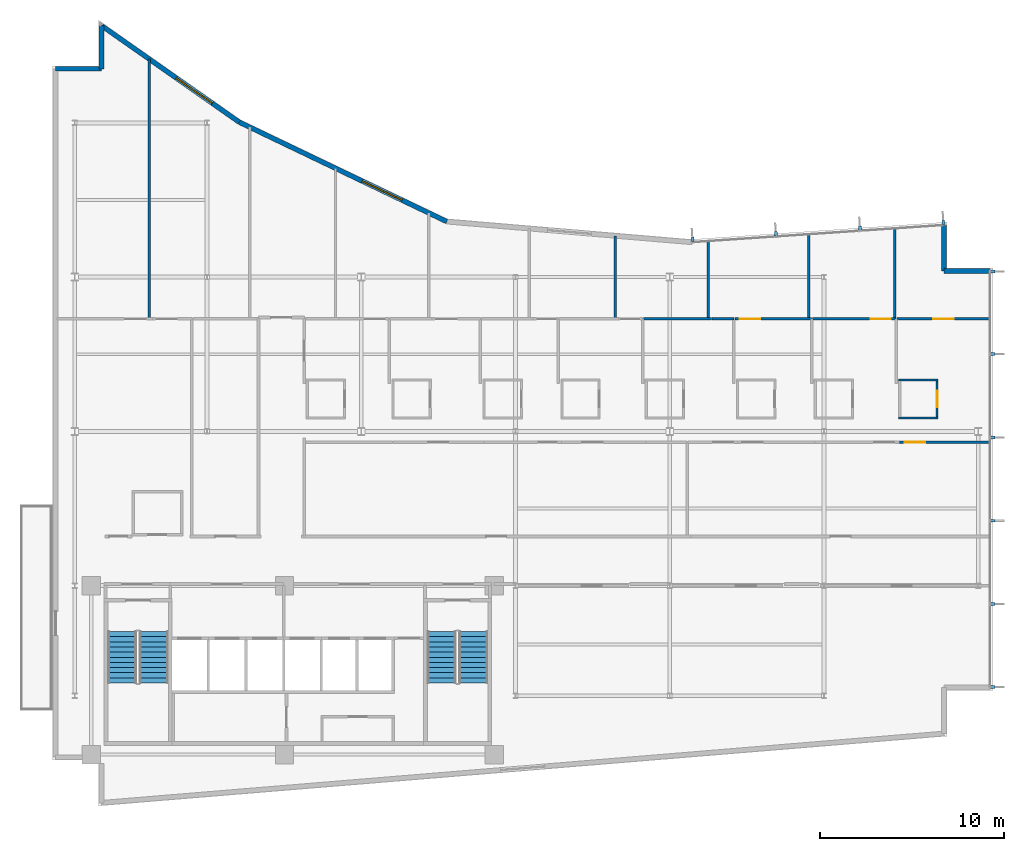
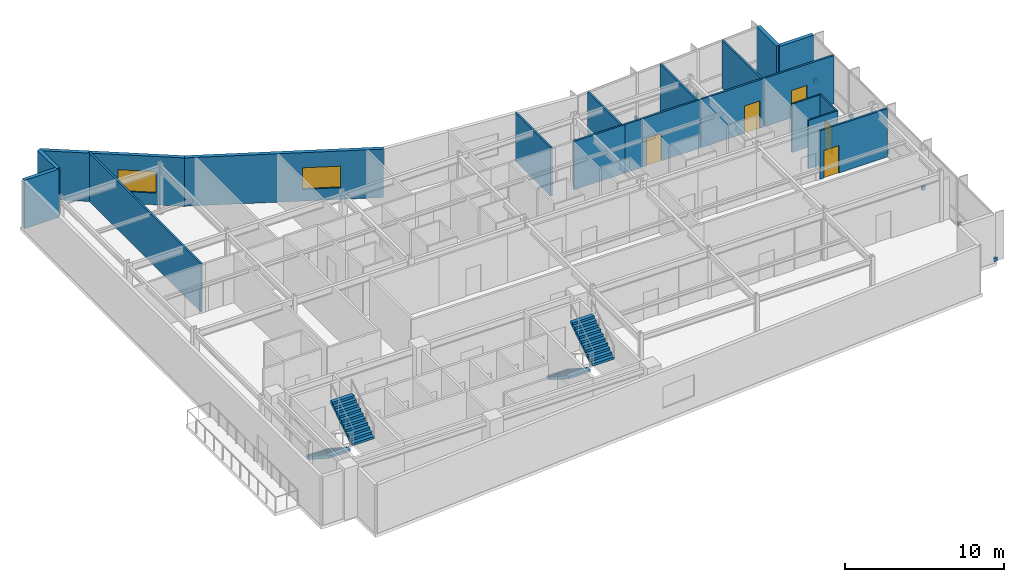
# One storey, part 14 of 17: 20 walls, 10 discrete accessories, 5 doors, 4 stair flights, 2 windows, 7 openings, 2 elements without a shape of their own.
"""IFC4 building model written with IfcOpenShell, lengths in metres."""

from ifc_helpers import new_model, si_unit, direction, frame, frame_2d, origin, origin_2d, place, context, subcontext, project, spatial, polyline, rectangle, outline, extrude, material, layer, layer_set, type_object, element, fill, aggregate, save


model = new_model("IFC4")

# Units and contexts
model_context = context("Model", 3, precision=1e-05, world=origin(), true_north=direction((0.0, 1.0)))
body_context = subcontext(model_context, "Body", "Model", "MODEL_VIEW")
ifc_project = project(units=[si_unit("LENGTHUNIT", "METRE"), si_unit("AREAUNIT", "SQUARE_METRE"), si_unit("VOLUMEUNIT", "CUBIC_METRE"), si_unit("PLANEANGLEUNIT", "RADIAN"), si_unit("MASSUNIT", "GRAM", prefix="KILO")], contexts=[model_context])

# Site, building, storey
site_placement = place(None, origin())
site = spatial("IfcSite", under=ifc_project, at=site_placement, CompositionType="ELEMENT")
building_placement = place(site_placement, origin())
building = spatial("IfcBuilding", under=site, at=building_placement, Name="Varnakote Quay Hospital", CompositionType="ELEMENT")
storey_placement = place(building_placement, frame((0.0, 0.0, 219.75)))
storey = spatial("IfcBuildingStorey", under=building, at=storey_placement, Name="L54", CompositionType="ELEMENT", Elevation=219.75)

# Walls
ifc_material_1 = material(Name="Moisture-resistant bathroom partition", Category="gypsum")
ifc_layer_1 = layer(ifc_material_1, 0.114990234375)
ifc_layer_set_1 = layer_set([ifc_layer_1], Name="Moisture-resistant bathroom partition")
wall_type_1 = type_object("IfcWallType", Name="WL-ENS-115", PredefinedType="PARTITIONING", material=ifc_layer_set_1)
for number, where, z_axis, x_axis, name in (
    (1, (46.06494140625, 21.132568359375, 0.0), (0.0, 0.0, 1.0), (1.0, 0.0, 0.0), "L54 Inpatient En-Suite Bathroom 08 S Wall"),
    (2, (46.06494140625, 23.197509765625, 0.0), (0.0, 0.0, 1.0), (1.0, 0.0, 0.0), "L54 Inpatient En-Suite Bathroom 08 N Wall"),
):
    element("IfcWall", number, at=place(storey_placement, frame(where, z_axis=z_axis, x_axis=x_axis)), inside=storey, type_object=wall_type_1, Name=name, PredefinedType="PARTITIONING", context=body_context, shape_type="SweptSolid", body=[
        extrude(rectangle(XDim=2.150146484375, YDim=0.114990234375, at=frame_2d((1.0751953125, 0.0))), origin(), (0.0, 0.0, 1.0), 3.7099609375),
    ])

# Wall, opening, door
wall_1_placement = place(storey_placement, frame((48.157470703125, 21.18994140625, 0.0), z_axis=(0.0, 0.0, 1.0), x_axis=(0.0, 1.0, 0.0)))
wall_1 = element("IfcWall", 3, at=wall_1_placement, inside=storey, type_object=wall_type_1, Name="L54 Inpatient En-Suite Bathroom 08 E Wall", PredefinedType="PARTITIONING", context=body_context, shape_type="SweptSolid", body=[
    extrude(rectangle(XDim=1.949951171875, YDim=0.114990234375, at=frame_2d((0.97509765625, 0.0))), origin(), (0.0, 0.0, 1.0), 3.7099609375),
])
opening_1_placement = place(wall_1_placement, frame((0.514892578125, 0.0, 0.0)))
opening_1 = element("IfcOpeningElement", 4, at=opening_1_placement, cuts=wall_1, Name="Opening D-L54-ENS08", PredefinedType="OPENING", context=body_context, shape_type="SweptSolid", body=[
    extrude(rectangle(XDim=0.919921875, YDim=2.10009765625, at=frame_2d((0.4599609375, 1.050048828125))), frame((0.0, 0.0673828125, 0.0), z_axis=(0.0, -1.0, 0.0), x_axis=(1.0, 0.0, 0.0)), (0.0, 0.0, 1.0), 0.135009765625),
])
ifc_material_2 = material(Name="Moisture-sealed en-suite bathroom door")
door_type_1 = type_object("IfcDoorType", Name="DR-ENS-920x2100", OperationType="NOTDEFINED", PredefinedType="DOOR", material=ifc_material_2)
door_1_placement = place(opening_1_placement, origin())
door_1 = element("IfcDoor", 5, at=door_1_placement, inside=storey, type_object=door_type_1, Name="L54 Inpatient En-Suite Bathroom 08 Door", OperationType="SINGLE_SWING_RIGHT", OverallHeight=2.10009765625, OverallWidth=0.919921875, PredefinedType="DOOR", context=body_context, shape_type="SweptSolid", body=[
    extrude(rectangle(XDim=0.919921875, YDim=2.10009765625, at=frame_2d((0.4599609375, 1.050048828125))), frame((0.0, 0.02490234375, 0.0), z_axis=(0.0, -1.0, 0.0), x_axis=(1.0, 0.0, 0.0)), (0.0, 0.0, 1.0), 0.050048828125),
])
fill(opening_1, door_1)

# Walls
ifc_material_3 = material(Name="Precast concrete N50 (f'c 50 MPa)", Category="concrete")
ifc_layer_2 = layer(ifc_material_3, 0.260009765625)
ifc_layer_set_2 = layer_set([ifc_layer_2], Name="Precast concrete N50 (f'c 50 MPa)")
wall_type_2 = type_object("IfcWallType", Name="WL-EXT-BRICK-260", PredefinedType="STANDARD", material=ifc_layer_set_2)
wall_2_placement = place(storey_placement, frame((51.0400390625, 29.139892578125, 0.0), z_axis=(0.0, 0.0, 1.0), x_axis=(-1.0, 0.0, 0.0)))
element("IfcWall", 6, at=wall_2_placement, inside=storey, type_object=wall_type_2, Name="L54 Brick-Faced Precast Exterior Wall", PredefinedType="STANDARD", context=body_context, shape_type="SweptSolid", body=[
    extrude(rectangle(XDim=2.5, YDim=0.260009765625, at=frame_2d((1.25, 0.0))), origin(), (0.0, 0.0, 1.0), 3.7099609375),
])
wall_3_placement = place(storey_placement, frame((48.5400390625, 29.139892578125, 0.0), z_axis=(0.0, 0.0, 1.0), x_axis=(0.0, 1.0, 0.0)))
element("IfcWall", 7, at=wall_3_placement, inside=storey, type_object=wall_type_2, Name="L54 Brick-Faced Precast Exterior Wall", PredefinedType="STANDARD", context=body_context, shape_type="SweptSolid", body=[
    extrude(rectangle(XDim=2.489013671875, YDim=0.260009765625, at=frame_2d((1.24462890625, 0.0))), origin(), (0.0, 0.0, 1.0), 3.7099609375),
])

# Wall, opening, window
wall_4_placement = place(storey_placement, frame((21.461181640625, 31.822998046875, 0.0), z_axis=(0.0, 0.0, 1.0), x_axis=(-0.901858094827, 0.432032379336, 0.0)))
wall_4 = element("IfcWall", 8, at=wall_4_placement, inside=storey, type_object=wall_type_2, Name="L54 Brick-Faced Precast Exterior Wall", PredefinedType="STANDARD", context=body_context, shape_type="SweptSolid", body=[
    extrude(rectangle(XDim=12.5322265625, YDim=0.260009765625, at=frame_2d((6.26611328125, 0.0))), origin(), (0.0, 0.0, 1.0), 3.7099609375),
])
opening_2_placement = place(wall_4_placement, frame((2.7099609375, 0.0, 0.89990234375)))
opening_2 = element("IfcOpeningElement", 9, at=opening_2_placement, cuts=wall_4, Name="Opening WN-0224", PredefinedType="OPENING", context=body_context, shape_type="SweptSolid", body=[
    extrude(rectangle(XDim=2.39990234375, YDim=1.64990234375, at=frame_2d((1.199951171875, 0.824951171875))), frame((0.0, 0.139892578125, 0.0), z_axis=(0.0, -1.0, 0.0), x_axis=(1.0, 0.0, 0.0)), (0.0, 0.0, 1.0), 0.280029296875),
])
ifc_material_4 = material(Name="Double-glazed low-E solar glass", Category="glass")
window_type = type_object("IfcWindowType", Name="WIN-CLIN-2400x1650", PartitioningType="SINGLE_PANEL", PredefinedType="WINDOW", material=ifc_material_4)
window_1_placement = place(opening_2_placement, origin())
window_1 = element("IfcWindow", 10, at=window_1_placement, inside=storey, type_object=window_type, Name="L54 Solar-Control Clinical Window", OverallHeight=1.64990234375, OverallWidth=2.39990234375, PartitioningType="SINGLE_PANEL", PredefinedType="WINDOW", context=body_context, shape_type="SweptSolid", body=[
    extrude(rectangle(XDim=2.39990234375, YDim=1.64990234375, at=frame_2d((1.199951171875, 0.824951171875))), frame((0.0, 0.030029296875, 0.0), z_axis=(0.0, -1.0, 0.0), x_axis=(1.0, 0.0, 0.0)), (0.0, 0.0, 1.0), 0.06005859375),
])
fill(opening_2, window_1)

wall_5_placement = place(storey_placement, frame((10.158935546875, 37.2373046875, 0.0), z_axis=(0.0, 0.0, 1.0), x_axis=(-0.818933702389, 0.57388813465, 0.0)))
wall_5 = element("IfcWall", 11, at=wall_5_placement, inside=storey, type_object=wall_type_2, Name="L54 Brick-Faced Precast Exterior Wall", PredefinedType="STANDARD", context=body_context, shape_type="SweptSolid", body=[
    extrude(rectangle(XDim=9.156982421875, YDim=0.260009765625, at=frame_2d((4.57861328125, 0.0))), origin(), (0.0, 0.0, 1.0), 3.7099609375),
])
opening_3_placement = place(wall_5_placement, frame((1.787109375, 0.0, 0.89990234375)))
opening_3 = element("IfcOpeningElement", 12, at=opening_3_placement, cuts=wall_5, Name="Opening WN-0225", PredefinedType="OPENING", context=body_context, shape_type="SweptSolid", body=[
    extrude(rectangle(XDim=2.39990234375, YDim=1.64990234375, at=frame_2d((1.199951171875, 0.824951171875))), frame((0.0, 0.139892578125, 0.0), z_axis=(0.0, -1.0, 0.0), x_axis=(1.0, 0.0, 0.0)), (0.0, 0.0, 1.0), 0.280029296875),
])
window_2_placement = place(opening_3_placement, origin())
window_2 = element("IfcWindow", 13, at=window_2_placement, inside=storey, type_object=window_type, Name="L54 Solar-Control Clinical Window", OverallHeight=1.64990234375, OverallWidth=2.39990234375, PartitioningType="SINGLE_PANEL", PredefinedType="WINDOW", context=body_context, shape_type="SweptSolid", body=[
    extrude(rectangle(XDim=2.39990234375, YDim=1.64990234375, at=frame_2d((1.199951171875, 0.824951171875))), frame((0.0, 0.030029296875, 0.0), z_axis=(0.0, -1.0, 0.0), x_axis=(1.0, 0.0, 0.0)), (0.0, 0.0, 1.0), 0.06005859375),
])
fill(opening_3, window_2)

# Walls
wall_6_placement = place(storey_placement, frame((2.659912109375, 42.492431640625, 0.0), z_axis=(0.0, 0.0, 1.0), x_axis=(0.0, -1.0, 0.0)))
element("IfcWall", 14, at=wall_6_placement, inside=storey, type_object=wall_type_2, Name="L54 Brick-Faced Precast Exterior Wall", PredefinedType="STANDARD", context=body_context, shape_type="SweptSolid", body=[
    extrude(rectangle(XDim=2.3525390625, YDim=0.260009765625, at=frame_2d((1.17626953125, 0.0))), origin(), (0.0, 0.0, 1.0), 3.7099609375),
])
wall_7_placement = place(storey_placement, frame((2.659912109375, 40.139892578125, 0.0), z_axis=(0.0, 0.0, 1.0), x_axis=(-1.0, 0.0, 0.0)))
element("IfcWall", 15, at=wall_7_placement, inside=storey, type_object=wall_type_2, Name="L54 Brick-Faced Precast Exterior Wall", PredefinedType="STANDARD", context=body_context, shape_type="SweptSolid", body=[
    extrude(rectangle(XDim=2.5, YDim=0.260009765625, at=frame_2d((1.25, 0.0))), origin(), (0.0, 0.0, 1.0), 3.7099609375),
])

# Wall, opening, door
ifc_material_5 = material(Name="Smoke-proof clinical partition", Category="gypsum")
ifc_layer_3 = layer(ifc_material_5, 0.135009765625)
ifc_layer_set_3 = layer_set([ifc_layer_3], Name="Smoke-proof clinical partition")
wall_type_3 = type_object("IfcWallType", Name="WL-SMOKE-135", PredefinedType="PARTITIONING", material=ifc_layer_set_3)
wall_8_placement = place(storey_placement, frame((51.0400390625, 19.800048828125, 0.0), z_axis=(0.0, 0.0, 1.0), x_axis=(-1.0, 0.0, 0.0)))
wall_8 = element("IfcWall", 16, at=wall_8_placement, inside=storey, type_object=wall_type_3, Name="L54 Clinical Interior Partition", PredefinedType="PARTITIONING", context=body_context, shape_type="SweptSolid", body=[
    extrude(rectangle(XDim=4.92333984375, YDim=0.135009765625, at=frame_2d((2.461669921875, 0.0))), origin(), (0.0, 0.0, 1.0), 3.7099609375),
])
opening_4_placement = place(wall_8_placement, frame((3.537841796875, 0.0, 0.0)))
opening_4 = element("IfcOpeningElement", 17, at=opening_4_placement, cuts=wall_8, Name="Opening D-L54-BR08", PredefinedType="OPENING", context=body_context, shape_type="SweptSolid", body=[
    extrude(rectangle(XDim=1.10009765625, YDim=2.10009765625, at=frame_2d((0.550048828125, 1.050048828125))), frame((0.0, 0.077392578125, 0.0), z_axis=(0.0, -1.0, 0.0), x_axis=(1.0, 0.0, 0.0)), (0.0, 0.0, 1.0), 0.155029296875),
])
ifc_material_6 = material(Name="Acoustic timber clinical consult door", Category="wood")
door_type_2 = type_object("IfcDoorType", Name="DR-CLIN-FD30S-1100x2100", OperationType="NOTDEFINED", PredefinedType="DOOR", material=ifc_material_6)
door_2_placement = place(opening_4_placement, origin())
door_2 = element("IfcDoor", 18, at=door_2_placement, inside=storey, type_object=door_type_2, Name="L54 Inpatient Clinical Treatment Room 08 Door", OperationType="SINGLE_SWING_RIGHT", OverallHeight=2.10009765625, OverallWidth=1.10009765625, PredefinedType="DOOR", context=body_context, shape_type="SweptSolid", body=[
    extrude(rectangle(XDim=1.10009765625, YDim=2.10009765625, at=frame_2d((0.550048828125, 1.050048828125))), frame((0.0, 0.02490234375, 0.0), z_axis=(0.0, -1.0, 0.0), x_axis=(1.0, 0.0, 0.0)), (0.0, 0.0, 1.0), 0.050048828125),
])
fill(opening_4, door_2)

# Walls
wall_9_placement = place(storey_placement, frame((35.884521484375, 26.52001953125, 0.0), z_axis=(0.0, 0.0, 1.0), x_axis=(-1.0, 0.0, 0.0)))
element("IfcWall", 19, at=wall_9_placement, inside=storey, type_object=wall_type_3, Name="L54 Clinical Interior Partition", PredefinedType="PARTITIONING", context=body_context, shape_type="SweptSolid", body=[
    extrude(rectangle(XDim=3.70703125, YDim=0.135009765625, at=frame_2d((1.853515625, 0.0))), origin(), (0.0, 0.0, 1.0), 3.7099609375),
])
wall_10_placement = place(storey_placement, frame((37.090087890625, 26.52001953125, 0.0), z_axis=(0.0, 0.0, 1.0), x_axis=(-1.0, 0.0, 0.0)))
element("IfcWall", 20, at=wall_10_placement, inside=storey, type_object=wall_type_3, Name="L54 Clinical Interior Partition", PredefinedType="PARTITIONING", context=body_context, shape_type="SweptSolid", body=[
    extrude(rectangle(XDim=1.203369140625, YDim=0.135009765625, at=frame_2d((0.6015625, 0.0))), origin(), (0.0, 0.0, 1.0), 3.7099609375),
])

# Wall, opening, door
wall_11_placement = place(storey_placement, frame((41.320068359375, 26.52001953125, 0.0), z_axis=(0.0, 0.0, 1.0), x_axis=(-1.0, 0.0, 0.0)))
wall_11 = element("IfcWall", 21, at=wall_11_placement, inside=storey, type_object=wall_type_3, Name="L54 Clinical Interior Partition", PredefinedType="PARTITIONING", context=body_context, shape_type="SweptSolid", body=[
    extrude(rectangle(XDim=4.172607421875, YDim=0.135009765625, at=frame_2d((2.08642578125, 0.0))), origin(), (0.0, 0.0, 1.0), 3.7099609375),
])
opening_5_placement = place(wall_11_placement, frame((2.8056640625, 0.0, 0.0)))
opening_5 = element("IfcOpeningElement", 22, at=opening_5_placement, cuts=wall_11, Name="Opening D-L54-MD10", PredefinedType="OPENING", context=body_context, shape_type="SweptSolid", body=[
    extrude(rectangle(XDim=1.10009765625, YDim=2.10009765625, at=frame_2d((0.550048828125, 1.050048828125))), frame((0.0, 0.077392578125, 0.0), z_axis=(0.0, -1.0, 0.0), x_axis=(1.0, 0.0, 0.0)), (0.0, 0.0, 1.0), 0.155029296875),
])
door_3_placement = place(opening_5_placement, origin())
door_3 = element("IfcDoor", 23, at=door_3_placement, inside=storey, type_object=door_type_2, Name="L54 Cardiac Rehab Treatment Suite Door", OperationType="SINGLE_SWING_LEFT", OverallHeight=2.10009765625, OverallWidth=1.10009765625, PredefinedType="DOOR", context=body_context, shape_type="SweptSolid", body=[
    extrude(rectangle(XDim=1.10009765625, YDim=2.10009765625, at=frame_2d((0.550048828125, 1.050048828125))), frame((0.0, 0.02490234375, 0.0), z_axis=(0.0, -1.0, 0.0), x_axis=(1.0, 0.0, 0.0)), (0.0, 0.0, 1.0), 0.050048828125),
])
fill(opening_5, door_3)

wall_12_placement = place(storey_placement, frame((45.919921875, 26.52001953125, 0.0), z_axis=(0.0, 0.0, 1.0), x_axis=(-1.0, 0.0, 0.0)))
wall_12 = element("IfcWall", 24, at=wall_12_placement, inside=storey, type_object=wall_type_3, Name="L54 Clinical Interior Partition", PredefinedType="PARTITIONING", context=body_context, shape_type="SweptSolid", body=[
    extrude(rectangle(XDim=4.54248046875, YDim=0.135009765625, at=frame_2d((2.271240234375, 0.0))), origin(), (0.0, 0.0, 1.0), 3.7099609375),
])
opening_6_placement = place(wall_12_placement, frame((0.276123046875, 0.0, 0.0)))
opening_6 = element("IfcOpeningElement", 25, at=opening_6_placement, cuts=wall_12, Name="Opening D-L54-MD11", PredefinedType="OPENING", context=body_context, shape_type="SweptSolid", body=[
    extrude(rectangle(XDim=1.10009765625, YDim=2.10009765625, at=frame_2d((0.550048828125, 1.050048828125))), frame((0.0, 0.077392578125, 0.0), z_axis=(0.0, -1.0, 0.0), x_axis=(1.0, 0.0, 0.0)), (0.0, 0.0, 1.0), 0.155029296875),
])
door_4_placement = place(opening_6_placement, origin())
door_4 = element("IfcDoor", 26, at=door_4_placement, inside=storey, type_object=door_type_2, Name="L54 Preventive Cardiology Office Door", OperationType="SINGLE_SWING_RIGHT", OverallHeight=2.10009765625, OverallWidth=1.10009765625, PredefinedType="DOOR", context=body_context, shape_type="SweptSolid", body=[
    extrude(rectangle(XDim=1.10009765625, YDim=2.10009765625, at=frame_2d((0.550048828125, 1.050048828125))), frame((0.0, 0.02490234375, 0.0), z_axis=(0.0, -1.0, 0.0), x_axis=(1.0, 0.0, 0.0)), (0.0, 0.0, 1.0), 0.050048828125),
])
fill(opening_6, door_4)

wall_13_placement = place(storey_placement, frame((51.0400390625, 26.52001953125, 0.0), z_axis=(0.0, 0.0, 1.0), x_axis=(-1.0, 0.0, 0.0)))
wall_13 = element("IfcWall", 27, at=wall_13_placement, inside=storey, type_object=wall_type_3, Name="L54 Clinical Interior Partition", PredefinedType="PARTITIONING", context=body_context, shape_type="SweptSolid", body=[
    extrude(rectangle(XDim=5.0625, YDim=0.135009765625, at=frame_2d((2.53125, 0.0))), origin(), (0.0, 0.0, 1.0), 3.7099609375),
])
opening_7_placement = place(wall_13_placement, frame((1.981201171875, 0.0, 0.0)))
opening_7 = element("IfcOpeningElement", 28, at=opening_7_placement, cuts=wall_13, Name="Opening D-L54-MD12", PredefinedType="OPENING", context=body_context, shape_type="SweptSolid", body=[
    extrude(rectangle(XDim=1.10009765625, YDim=2.10009765625, at=frame_2d((0.550048828125, 1.050048828125))), frame((0.0, 0.077392578125, 0.0), z_axis=(0.0, -1.0, 0.0), x_axis=(1.0, 0.0, 0.0)), (0.0, 0.0, 1.0), 0.155029296875),
])
door_5_placement = place(opening_7_placement, origin())
door_5 = element("IfcDoor", 29, at=door_5_placement, inside=storey, type_object=door_type_2, Name="L54 Patient Wellness Meeting Room Door", OperationType="SINGLE_SWING_LEFT", OverallHeight=2.10009765625, OverallWidth=1.10009765625, PredefinedType="DOOR", context=body_context, shape_type="SweptSolid", body=[
    extrude(rectangle(XDim=1.10009765625, YDim=2.10009765625, at=frame_2d((0.550048828125, 1.050048828125))), frame((0.0, 0.02490234375, 0.0), z_axis=(0.0, -1.0, 0.0), x_axis=(1.0, 0.0, 0.0)), (0.0, 0.0, 1.0), 0.050048828125),
])
fill(opening_7, door_5)

# Walls
wall_14_placement = place(storey_placement, frame((5.25, 26.577392578125, 0.0), z_axis=(0.0, 0.0, 1.0), x_axis=(0.0, 1.0, 0.0)))
element("IfcWall", 30, at=wall_14_placement, inside=storey, type_object=wall_type_3, Name="L54 Clinical Interior Partition", PredefinedType="PARTITIONING", context=body_context, shape_type="SweptSolid", body=[
    extrude(rectangle(XDim=14.10009765625, YDim=0.135009765625, at=frame_2d((7.050048828125, 0.0))), origin(), (0.0, 0.0, 1.0), 3.7099609375),
])
wall_15_placement = place(storey_placement, frame((30.6201171875, 26.577392578125, 0.0), z_axis=(0.0, 0.0, 1.0), x_axis=(0.0, 1.0, 0.0)))
element("IfcWall", 31, at=wall_15_placement, inside=storey, type_object=wall_type_3, Name="L54 Clinical Interior Partition", PredefinedType="PARTITIONING", context=body_context, shape_type="SweptSolid", body=[
    extrude(rectangle(XDim=4.472412109375, YDim=0.135009765625, at=frame_2d((2.236328125, 0.0))), origin(), (0.0, 0.0, 1.0), 3.7099609375),
])
wall_16_placement = place(storey_placement, frame((35.68994140625, 26.577392578125, 0.0), z_axis=(0.0, 0.0, 1.0), x_axis=(0.0, 1.0, 0.0)))
element("IfcWall", 32, at=wall_16_placement, inside=storey, type_object=wall_type_3, Name="L54 Clinical Interior Partition", PredefinedType="PARTITIONING", context=body_context, shape_type="SweptSolid", body=[
    extrude(rectangle(XDim=4.177734375, YDim=0.135009765625, at=frame_2d((2.0888671875, 0.0))), origin(), (0.0, 0.0, 1.0), 3.7099609375),
])
wall_17_placement = place(storey_placement, frame((41.169921875, 26.577392578125, 0.0), z_axis=(0.0, 0.0, 1.0), x_axis=(0.0, 1.0, 0.0)))
element("IfcWall", 33, at=wall_17_placement, inside=storey, type_object=wall_type_3, Name="L54 Clinical Interior Partition", PredefinedType="PARTITIONING", context=body_context, shape_type="SweptSolid", body=[
    extrude(rectangle(XDim=4.55029296875, YDim=0.135009765625, at=frame_2d((2.275146484375, 0.0))), origin(), (0.0, 0.0, 1.0), 3.7099609375),
])
wall_18_placement = place(storey_placement, frame((45.840087890625, 26.577392578125, 0.0), z_axis=(0.0, 0.0, 1.0), x_axis=(0.0, 1.0, 0.0)))
element("IfcWall", 34, at=wall_18_placement, inside=storey, type_object=wall_type_3, Name="L54 Clinical Interior Partition", PredefinedType="PARTITIONING", context=body_context, shape_type="SweptSolid", body=[
    extrude(rectangle(XDim=4.867919921875, YDim=0.135009765625, at=frame_2d((2.43408203125, 0.0))), origin(), (0.0, 0.0, 1.0), 3.7099609375),
])

# Stair, stair flights
ifc_material_7 = material(Name="Concrete N40 (f'c 40 MPa)", Category="concrete")
stair_type = type_object("IfcStairType", Name="STR-CORE-1580", PredefinedType="HALF_TURN_STAIR", material=ifc_material_7)
stair_1_placement = place(storey_placement, origin())
stair_1 = element("IfcStair", 35, at=stair_1_placement, inside=storey, type_object=stair_type, Name="L54 Fire-Isolated Exit Stair ST-01", PredefinedType="HALF_TURN_STAIR")
ifc_material_8 = material(Name="Concrete N40 (f'c 40 MPa)", Category="concrete")
ifc_layer_4 = layer(ifc_material_8, 0.159912109375)
ifc_layer_set_4 = layer_set([ifc_layer_4], Name="Concrete N40 (f'c 40 MPa)")
stair_flight_type = type_object("IfcStairFlightType", Name="FLT-CORE-1580", PredefinedType="STRAIGHT", material=ifc_layer_set_4)
stair_flight_1_placement = place(storey_placement, frame((3.7900390625, 9.5, 0.0), z_axis=(0.0, 0.0, 1.0), x_axis=(0.0, -1.0, 0.0)))
stair_flight_1 = element("IfcStairFlight", 36, at=stair_flight_1_placement, type_object=stair_flight_type, Name="ST-01 flight 1", NumberOfRisers=11, NumberOfTreads=10, PredefinedType="STRAIGHT", RiserHeight=0.179545455, TreadLength=0.28, context=body_context, shape_type="SweptSolid", body=[
    extrude(outline(polyline([(0.0, 0.0), (0.0, 0.179443359375), (0.280029296875, 0.179443359375), (0.280029296875, 0.359130859375), (0.56005859375, 0.359130859375), (0.56005859375, 0.53857421875), (0.840087890625, 0.53857421875), (0.840087890625, 0.71826171875), (1.1201171875, 0.71826171875), (1.1201171875, 0.897705078125), (1.39990234375, 0.897705078125), (1.39990234375, 1.077392578125), (1.679931640625, 1.077392578125), (1.679931640625, 1.2568359375), (1.9599609375, 1.2568359375), (1.9599609375, 1.436279296875), (2.239990234375, 1.436279296875), (2.239990234375, 1.615966796875), (2.52001953125, 1.615966796875), (2.52001953125, 1.79541015625), (2.800048828125, 1.79541015625), (2.800048828125, 1.97509765625), (2.800048828125, 1.60546875), (0.296142578125, 0.0), (0.0, 0.0)])), frame((0.0, 0.7900390625, 0.0), z_axis=(0.0, -1.0, 0.0), x_axis=(1.0, 0.0, 0.0)), (0.0, 0.0, 1.0), 1.580078125),
])
stair_flight_2_placement = place(storey_placement, frame((5.510009765625, 6.699951171875, 1.97509765625), z_axis=(0.0, 0.0, 1.0), x_axis=(0.0, 1.0, 0.0)))
stair_flight_2 = element("IfcStairFlight", 37, at=stair_flight_2_placement, type_object=stair_flight_type, Name="ST-01 flight 2", NumberOfRisers=11, NumberOfTreads=10, PredefinedType="STRAIGHT", RiserHeight=0.179545455, TreadLength=0.28, context=body_context, shape_type="SweptSolid", body=[
    extrude(outline(polyline([(0.0, 0.0), (0.0, 0.179443359375), (0.280029296875, 0.179443359375), (0.280029296875, 0.359130859375), (0.56005859375, 0.359130859375), (0.56005859375, 0.53857421875), (0.840087890625, 0.53857421875), (0.840087890625, 0.71826171875), (1.1201171875, 0.71826171875), (1.1201171875, 0.897705078125), (1.39990234375, 0.897705078125), (1.39990234375, 1.077392578125), (1.679931640625, 1.077392578125), (1.679931640625, 1.2568359375), (1.9599609375, 1.2568359375), (1.9599609375, 1.436279296875), (2.239990234375, 1.436279296875), (2.239990234375, 1.615966796875), (2.52001953125, 1.615966796875), (2.52001953125, 1.79541015625), (2.800048828125, 1.79541015625), (2.800048828125, 1.97509765625), (2.800048828125, 1.60546875), (0.296142578125, 0.0), (0.0, 0.0)])), frame((0.0, 0.7900390625, 0.0), z_axis=(0.0, -1.0, 0.0), x_axis=(1.0, 0.0, 0.0)), (0.0, 0.0, 1.0), 1.580078125),
])
aggregate(stair_1, [stair_flight_1, stair_flight_2])

stair_2_placement = place(storey_placement, origin())
stair_2 = element("IfcStair", 38, at=stair_2_placement, inside=storey, type_object=stair_type, Name="L54 Fire-Isolated Exit Stair ST-02", PredefinedType="HALF_TURN_STAIR")
stair_flight_3_placement = place(storey_placement, frame((21.18994140625, 9.5, 0.0), z_axis=(0.0, 0.0, 1.0), x_axis=(0.0, -1.0, 0.0)))
stair_flight_3 = element("IfcStairFlight", 39, at=stair_flight_3_placement, type_object=stair_flight_type, Name="ST-02 flight 1", NumberOfRisers=11, NumberOfTreads=10, PredefinedType="STRAIGHT", RiserHeight=0.179545455, TreadLength=0.28, context=body_context, shape_type="SweptSolid", body=[
    extrude(outline(polyline([(0.0, 0.0), (0.0, 0.179443359375), (0.280029296875, 0.179443359375), (0.280029296875, 0.359130859375), (0.56005859375, 0.359130859375), (0.56005859375, 0.53857421875), (0.840087890625, 0.53857421875), (0.840087890625, 0.71826171875), (1.1201171875, 0.71826171875), (1.1201171875, 0.897705078125), (1.39990234375, 0.897705078125), (1.39990234375, 1.077392578125), (1.679931640625, 1.077392578125), (1.679931640625, 1.2568359375), (1.9599609375, 1.2568359375), (1.9599609375, 1.436279296875), (2.239990234375, 1.436279296875), (2.239990234375, 1.615966796875), (2.52001953125, 1.615966796875), (2.52001953125, 1.79541015625), (2.800048828125, 1.79541015625), (2.800048828125, 1.97509765625), (2.800048828125, 1.60546875), (0.296142578125, 0.0), (0.0, 0.0)])), frame((0.0, 0.7900390625, 0.0), z_axis=(0.0, -1.0, 0.0), x_axis=(1.0, 0.0, 0.0)), (0.0, 0.0, 1.0), 1.580078125),
])
stair_flight_4_placement = place(storey_placement, frame((22.909912109375, 6.699951171875, 1.97509765625), z_axis=(0.0, 0.0, 1.0), x_axis=(0.0, 1.0, 0.0)))
stair_flight_4 = element("IfcStairFlight", 40, at=stair_flight_4_placement, type_object=stair_flight_type, Name="ST-02 flight 2", NumberOfRisers=11, NumberOfTreads=10, PredefinedType="STRAIGHT", RiserHeight=0.179545455, TreadLength=0.28, context=body_context, shape_type="SweptSolid", body=[
    extrude(outline(polyline([(0.0, 0.0), (0.0, 0.179443359375), (0.280029296875, 0.179443359375), (0.280029296875, 0.359130859375), (0.56005859375, 0.359130859375), (0.56005859375, 0.53857421875), (0.840087890625, 0.53857421875), (0.840087890625, 0.71826171875), (1.1201171875, 0.71826171875), (1.1201171875, 0.897705078125), (1.39990234375, 0.897705078125), (1.39990234375, 1.077392578125), (1.679931640625, 1.077392578125), (1.679931640625, 1.2568359375), (1.9599609375, 1.2568359375), (1.9599609375, 1.436279296875), (2.239990234375, 1.436279296875), (2.239990234375, 1.615966796875), (2.52001953125, 1.615966796875), (2.52001953125, 1.79541015625), (2.800048828125, 1.79541015625), (2.800048828125, 1.97509765625), (2.800048828125, 1.60546875), (0.296142578125, 0.0), (0.0, 0.0)])), frame((0.0, 0.7900390625, 0.0), z_axis=(0.0, -1.0, 0.0), x_axis=(1.0, 0.0, 0.0)), (0.0, 0.0, 1.0), 1.580078125),
])
aggregate(stair_2, [stair_flight_3, stair_flight_4])

# Discrete accessories
ifc_material_9 = material(Name="Anodised aluminium 6063-T6 Bronze", Category="aluminium")
discrete_accessory_type = type_object("IfcDiscreteAccessoryType", Name="ACC-FIN-BRACKET-180", PredefinedType="BRACKET", material=ifc_material_9)
for number, where, z_axis, x_axis, name in (
    (41, (51.18994140625, 6.492431640625, 0.0), (0.0, 0.0, 1.0), (0.0, 1.0, 0.0), "L54 Curtain Wall Fin Fixing Bracket"),
    (42, (51.18994140625, 10.99609375, 0.0), (0.0, 0.0, 1.0), (0.0, 1.0, 0.0), "L54 Curtain Wall Fin Fixing Bracket"),
    (43, (51.18994140625, 15.531982421875, 0.0), (0.0, 0.0, 1.0), (0.0, 1.0, 0.0), "L54 Curtain Wall Fin Fixing Bracket"),
    (44, (51.18994140625, 20.068115234375, 0.0), (0.0, 0.0, 1.0), (0.0, 1.0, 0.0), "L54 Curtain Wall Fin Fixing Bracket"),
    (45, (51.18994140625, 24.60400390625, 0.0), (0.0, 0.0, 1.0), (0.0, 1.0, 0.0), "L54 Curtain Wall Fin Fixing Bracket"),
    (46, (51.18994140625, 29.107421875, 0.0), (0.0, 0.0, 1.0), (0.0, 1.0, 0.0), "L54 Curtain Wall Fin Fixing Bracket"),
    (47, (48.497314453125, 31.776123046875, 0.0), (0.0, 0.0, 1.0), (-0.997696134548, -0.067841160875, 0.0), "L54 Curtain Wall Fin Fixing Bracket"),
    (48, (43.95458984375, 31.46728515625, 0.0), (0.0, 0.0, 1.0), (-0.997696134548, -0.067841160875, 0.0), "L54 Curtain Wall Fin Fixing Bracket"),
    (49, (39.379638671875, 31.15625, 0.0), (0.0, 0.0, 1.0), (-0.997696134548, -0.067841160875, 0.0), "L54 Curtain Wall Fin Fixing Bracket"),
    (50, (34.8369140625, 30.847412109375, 0.0), (0.0, 0.0, 1.0), (-0.997696134548, -0.067841160875, 0.0), "L54 Curtain Wall Fin Fixing Bracket"),
):
    element("IfcDiscreteAccessory", number, at=place(storey_placement, frame(where, z_axis=z_axis, x_axis=x_axis)), inside=storey, type_object=discrete_accessory_type, Name=name, PredefinedType="BRACKET", context=body_context, shape_type="SweptSolid", body=[
        extrude(rectangle(XDim=0.159912109375, YDim=0.239990234375, at=origin_2d()), origin(), (0.0, 0.0, 1.0), 0.280029296875),
    ])

save(model, "model.ifc")
